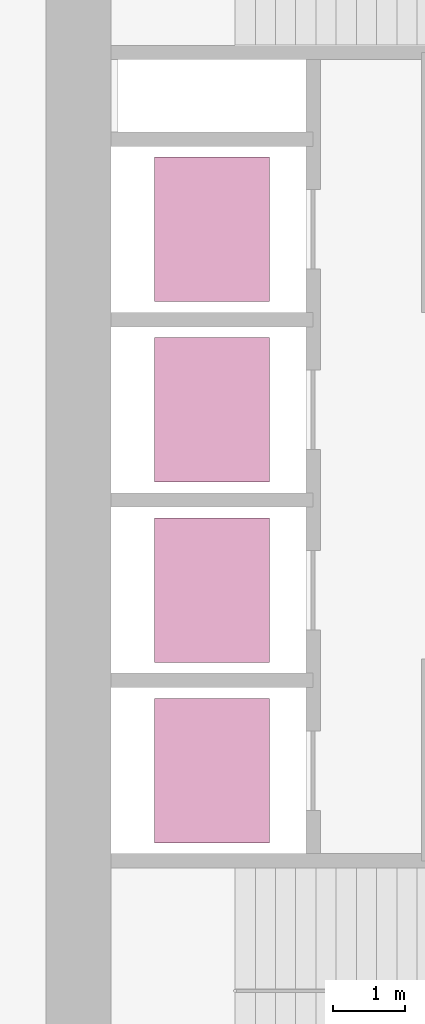
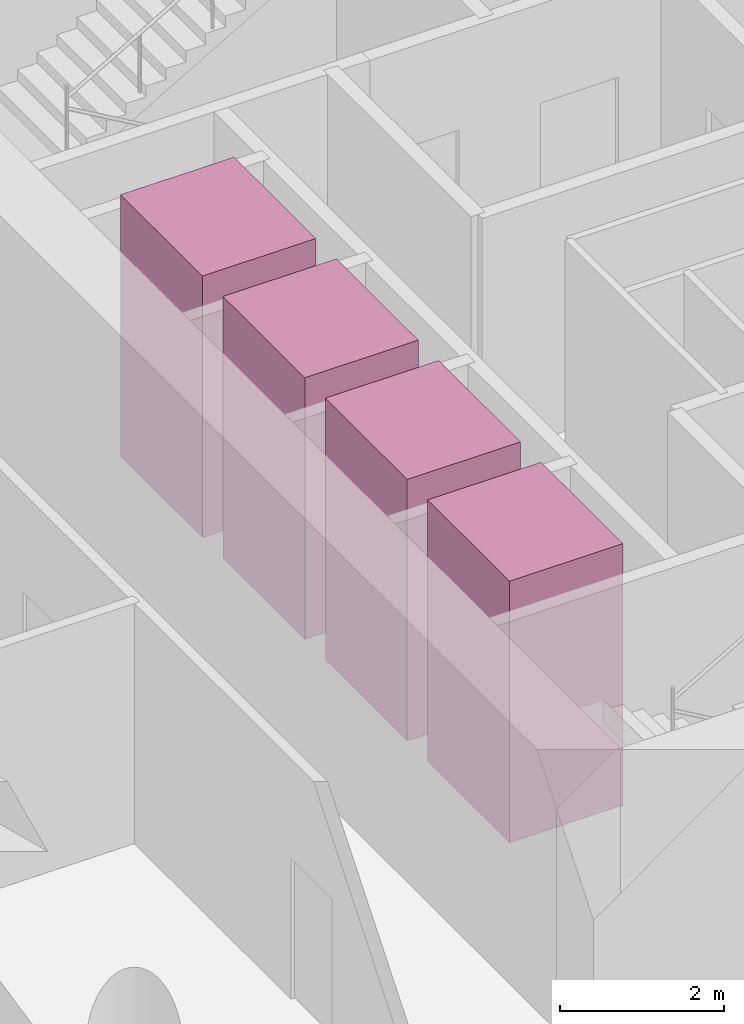
# One storey, part 10 of 10: 4 transport elements.
"""IFC4 building model written with IfcOpenShell, lengths in metres."""

from ifc_helpers import new_model, si_unit, direction, frame, origin, origin_2d, place, context, subcontext, project, spatial, rectangle, extrude, material, type_object, element, save


model = new_model("IFC4")

# Units and contexts
model_context = context("Model", 3, precision=1e-05, world=origin(), true_north=direction((0.0, 1.0)))
body_context = subcontext(model_context, "Body", "Model", "MODEL_VIEW")
ifc_project = project(units=[si_unit("LENGTHUNIT", "METRE"), si_unit("AREAUNIT", "SQUARE_METRE"), si_unit("VOLUMEUNIT", "CUBIC_METRE"), si_unit("PLANEANGLEUNIT", "RADIAN"), si_unit("MASSUNIT", "GRAM", prefix="KILO")], contexts=[model_context])

# Site, building, storey
site_placement = place(None, origin())
site = spatial("IfcSite", under=ifc_project, at=site_placement, CompositionType="ELEMENT")
building_placement = place(site_placement, origin())
building = spatial("IfcBuilding", under=site, at=building_placement, Name="Qaws Garden Tower", CompositionType="ELEMENT")
storey_placement = place(building_placement, frame((0.0, 0.0, 78.300048828125)))
storey = spatial("IfcBuildingStorey", under=building, at=storey_placement, Name="L19", CompositionType="ELEMENT", Elevation=78.300048828125)

# Transport elements
ifc_material = material(Name="Stainless steel 316", Category="steel")
transport_element_type = type_object("IfcTransportElementType", Name="Passenger lift car 2000x1600 1800 kg", PredefinedType="ELEVATOR", material=ifc_material)
for number, where, z_axis, x_axis, name in (
    (1, (10.300048828125, 13.64990234375, 0.0), (0.0, 0.0, 1.0), (1.0, 0.0, 0.0), "LR1"),
    (2, (10.300048828125, 16.14990234375, 0.0), (0.0, 0.0, 1.0), (1.0, 0.0, 0.0), "LR2"),
    (3, (10.300048828125, 18.64990234375, 0.0), (0.0, 0.0, 1.0), (1.0, 0.0, 0.0), "LR3"),
    (4, (10.300048828125, 21.14990234375, 0.0), (0.0, 0.0, 1.0), (1.0, 0.0, 0.0), "LR4"),
):
    element("IfcTransportElement", number, at=place(storey_placement, frame(where, z_axis=z_axis, x_axis=x_axis)), inside=storey, type_object=transport_element_type, Name=name, PredefinedType="ELEVATOR", context=body_context, shape_type="SweptSolid", body=[
        extrude(rectangle(XDim=1.60009765625, YDim=2.0, at=origin_2d()), origin(), (0.0, 0.0, 1.0), 3.89990234375),
    ])

save(model, "model.ifc")
